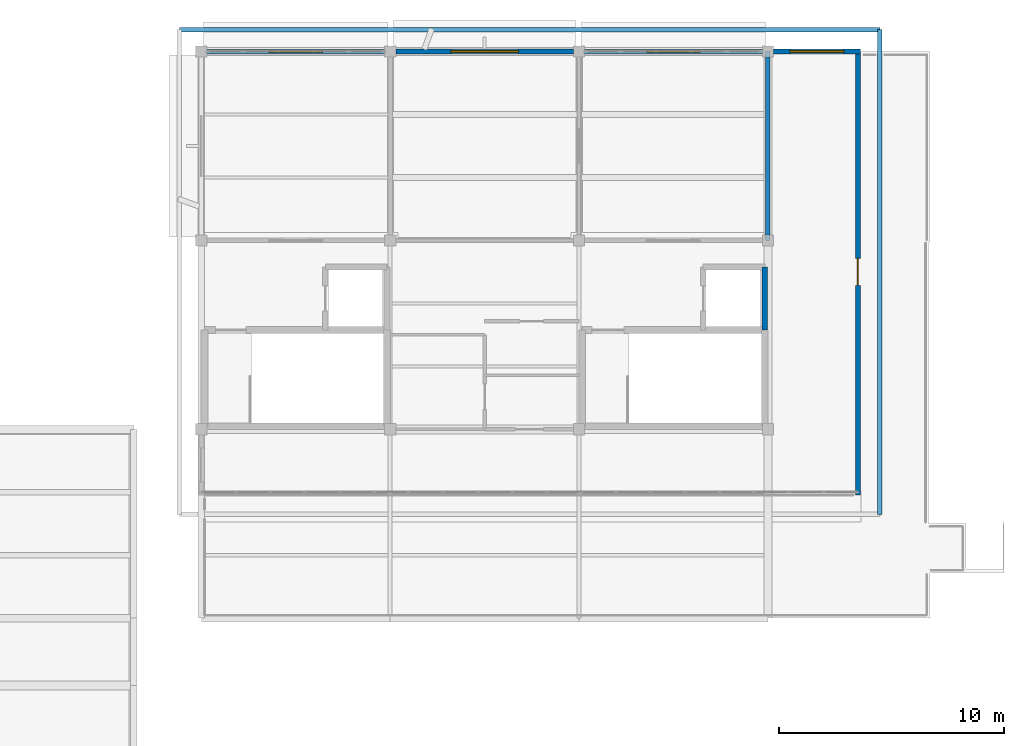
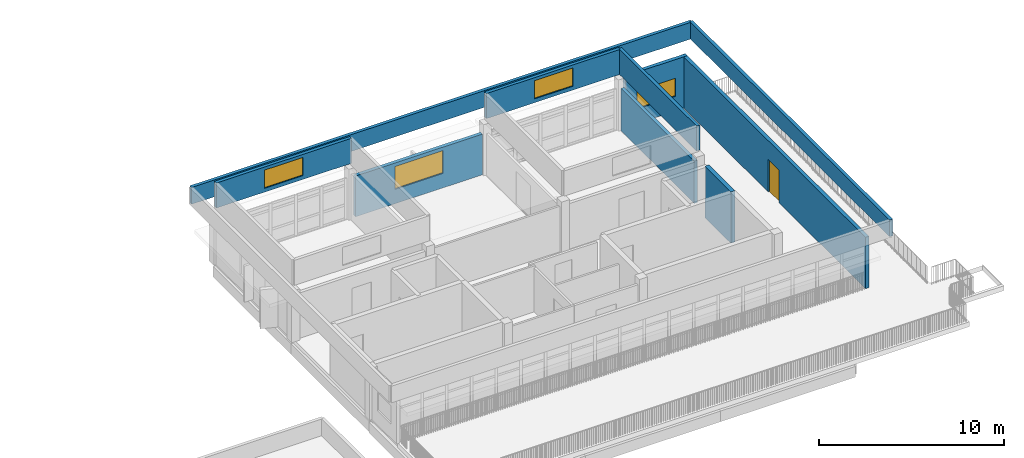
# One storey, part 9 of 14: 10 walls, 4 windows, 1 door, 5 openings.
"""IFC4 building model written with IfcOpenShell, lengths in metres."""

import ifcopenshell
import ifcopenshell.guid

model = None  # the IFC model being written
_history = None  # IfcOwnerHistory: only IFC2X3 demands one
_inside = {}  # id of a spatial element -> (the spatial element, [elements in it])
_under = {}  # id of a project, library or spatial element -> (it, [spatial elements below it])
_declared = {}  # id of a project -> (the project, [libraries it declares])
_typed = {}  # id of a type object -> (the type object, [elements of that type])
_made_of = {}  # id of a material, layer set ... -> (it, [elements and type objects made of it])


def new_model(schema):
    """Start an empty IFC model of exactly this schema.

    Asked for "IFC4X3", IfcOpenShell would pick the latest addendum, in which some entities
    have other attributes; the version numbers below select the first issue.
    IFC2X3 requires an IfcOwnerHistory on every rooted entity: one is made here for all.
    """
    global model, _history
    if schema == "IFC4X3":
        model = ifcopenshell.file(schema_version=(4, 3, 0, 0))
    else:
        model = ifcopenshell.file(schema=schema)
    _inside.clear()
    _under.clear()
    _declared.clear()
    _typed.clear()
    _made_of.clear()
    _history = None
    if model.schema == "IFC2X3":
        org = make("IfcOrganization", Name="unknown")
        user = make(
            "IfcPersonAndOrganization",
            ThePerson=make("IfcPerson", FamilyName="unknown"),
            TheOrganization=org,
        )
        app = make(
            "IfcApplication",
            ApplicationDeveloper=org,
            Version="unknown",
            ApplicationFullName="unknown",
            ApplicationIdentifier="unknown",
        )
        _history = make(
            "IfcOwnerHistory",
            OwningUser=user,
            OwningApplication=app,
            ChangeAction="ADDED",
            CreationDate=0,
        )
    return model


def make(cls, **values):
    """One entity of the class cls with the attributes given. An attribute that is None is left unset."""
    return model.create_entity(
        cls, **{name: value for name, value in values.items() if value is not None}
    )


def rooted(cls, **values):
    """An entity with a GlobalId (a new one), such as an element, a storey or a relation."""
    return make(cls, GlobalId=ifcopenshell.guid.new(), OwnerHistory=_history, **values)


def si_unit(unit_type, name, prefix=None):
    """IfcSIUnit, for example si_unit("LENGTHUNIT", "METRE", prefix="MILLI")."""
    return make("IfcSIUnit", UnitType=unit_type, Prefix=prefix, Name=name)


def assignment(units):
    """IfcUnitAssignment: the units of a project."""
    return None if units is None else make("IfcUnitAssignment", Units=units)


def point(xyz):
    """IfcCartesianPoint."""
    return None if xyz is None else make("IfcCartesianPoint", Coordinates=xyz)


def direction(xyz):
    """IfcDirection."""
    return None if xyz is None else make("IfcDirection", DirectionRatios=xyz)


def frame(location, z_axis=None, x_axis=None):
    """IfcAxis2Placement3D, a coordinate frame: its origin and axes. An axis left out is left unset."""
    return make(
        "IfcAxis2Placement3D",
        Location=point(location),
        Axis=direction(z_axis),
        RefDirection=direction(x_axis),
    )


def frame_2d(location, x_axis=None):
    """IfcAxis2Placement2D, a coordinate frame in the plane: its origin and x axis."""
    return make(
        "IfcAxis2Placement2D", Location=point(location), RefDirection=direction(x_axis)
    )


def origin():
    """The frame at (0, 0, 0) with its axes left unset."""
    return frame((0.0, 0.0, 0.0))


def place(relative_to, where):
    """IfcLocalPlacement: puts the frame where relative to a parent placement (None: the world)."""
    return make(
        "IfcLocalPlacement", PlacementRelTo=relative_to, RelativePlacement=where
    )


def context(
    kind, dimensions, precision=None, world=None, true_north=None, identifier=None
):
    """IfcGeometricRepresentationContext, for example the 3D "Model" context."""
    return make(
        "IfcGeometricRepresentationContext",
        ContextIdentifier=identifier,
        ContextType=kind,
        CoordinateSpaceDimension=dimensions,
        Precision=precision,
        WorldCoordinateSystem=world,
        TrueNorth=true_north,
    )


def subcontext(parent, identifier, kind, view, scale=None):
    """IfcGeometricRepresentationSubContext, for example "Body" below "Model"."""
    return make(
        "IfcGeometricRepresentationSubContext",
        ContextIdentifier=identifier,
        ContextType=kind,
        ParentContext=parent,
        TargetScale=scale,
        TargetView=view,
    )


def project(units=None, contexts=None):
    """IfcProject with its units and contexts."""
    return rooted(
        "IfcProject",
        Name="project",
        RepresentationContexts=contexts,
        UnitsInContext=assignment(units),
    )


def spatial(cls, under=None, at=None, **own):
    """A site, building, storey or space (cls), placed at a placement, below another one or the project."""
    s = rooted(cls, ObjectPlacement=at, **own)
    if under is not None:
        _under.setdefault(under.id(), (under, []))[1].append(s)
    return s


def profile(cls, at=None, kind="AREA", **sizes):
    """A parametric profile (cls). Its sizes go by their IFC names, for example OverallWidth=200.0."""
    return make(cls, ProfileType=kind, Position=at, **sizes)


def rectangle(**sizes):
    """IfcRectangleProfileDef."""
    return profile("IfcRectangleProfileDef", **sizes)


def extrude(swept, where, along, depth):
    """IfcExtrudedAreaSolid: the profile swept, set in the frame where, extruded along a direction by depth."""
    return make(
        "IfcExtrudedAreaSolid",
        SweptArea=swept,
        Position=where,
        ExtrudedDirection=direction(along),
        Depth=depth,
    )


def shape(context_of_items, identifier, shape_type, items):
    """IfcShapeRepresentation: the items that make up one representation, for example the "Body"."""
    return make(
        "IfcShapeRepresentation",
        ContextOfItems=context_of_items,
        RepresentationIdentifier=identifier,
        RepresentationType=shape_type,
        Items=items,
    )


def material(Name=None, Category=None):
    """IfcMaterial."""
    return make("IfcMaterial", Name=Name, Category=Category)


def layer(
    of_material, thickness, ventilated=None, Name=None, Category=None, Priority=None
):
    """IfcMaterialLayer: one layer of a wall or slab, of a material (None: an air gap)."""
    return make(
        "IfcMaterialLayer",
        Material=of_material,
        LayerThickness=thickness,
        IsVentilated=ventilated,
        Name=Name,
        Category=Category,
        Priority=Priority,
    )


def layer_set(layers, Name=None):
    """IfcMaterialLayerSet."""
    return make("IfcMaterialLayerSet", MaterialLayers=layers, LayerSetName=Name)


def made_of(thing, what):
    """Note that an element or type object is made of a material, layer set ...; save() writes the relation."""
    if what is not None:
        _made_of.setdefault(what.id(), (what, []))[1].append(thing)
    return thing


def type_object(cls, material=None, **own):
    """A type object (cls), such as IfcWallType, which elements share."""
    return made_of(rooted(cls, **own), material)


def element(
    cls,
    number,
    at=None,
    inside=None,
    cuts=None,
    type_object=None,
    material=None,
    context=None,
    identifier="Body",
    shape_type=None,
    held_by="IfcProductDefinitionShape",
    body=None,
    shapes=None,
    **own,
):
    """One element of the class cls, such as IfcWall. Its Tag is "e" and its number.

    at: its placement. inside: the storey or other place that contains it. cuts: it is an
    opening in that element (IfcRelVoidsElement). A single representation is given by context,
    identifier, shape_type and body (its items); several are given by shapes. held_by: the class
    of the entity that holds the representations. save() writes the other relations.
    """
    e = rooted(cls, Tag="e%d" % number, ObjectPlacement=at, **own)
    if body is not None:
        shapes = [shape(context, identifier, shape_type, body)]
    if shapes is not None:
        e.Representation = make(held_by, Representations=shapes)
    if inside is not None:
        _inside.setdefault(inside.id(), (inside, []))[1].append(e)
    if cuts is not None:
        rooted(
            "IfcRelVoidsElement", RelatingBuildingElement=cuts, RelatedOpeningElement=e
        )
    if type_object is not None:
        _typed.setdefault(type_object.id(), (type_object, []))[1].append(e)
    return made_of(e, material)


def fill(opening, filler):
    """IfcRelFillsElement: the door or window that sits in an opening."""
    return rooted(
        "IfcRelFillsElement",
        RelatingOpeningElement=opening,
        RelatedBuildingElement=filler,
    )


def aggregate(whole, parts):
    """IfcRelAggregates: a whole, such as a stair, and the parts it consists of."""
    return rooted("IfcRelAggregates", RelatingObject=whole, RelatedObjects=parts)


def save(model, path):
    """Write the relations noted so far, then the file.

    IfcRelAggregates (storeys below a building ...), IfcRelContainedInSpatialStructure (elements
    in a storey), IfcRelDefinesByType, IfcRelAssociatesMaterial and IfcRelDeclares: one each for
    every whole, place, type object, material and project.
    """
    for whole, parts in _under.values():
        aggregate(whole, parts)
    for where, things in _inside.values():
        rooted(
            "IfcRelContainedInSpatialStructure",
            RelatedElements=things,
            RelatingStructure=where,
        )
    for kind, things in _typed.values():
        rooted("IfcRelDefinesByType", RelatedObjects=things, RelatingType=kind)
    for what, things in _made_of.values():
        rooted("IfcRelAssociatesMaterial", RelatedObjects=things, RelatingMaterial=what)
    for by, libraries in _declared.values():
        rooted("IfcRelDeclares", RelatingContext=by, RelatedDefinitions=libraries)
    model.write(path)


model = new_model("IFC4")

# Units and contexts
model_context = context("Model", 3, precision=1e-05, world=origin(), true_north=direction((0.0, 1.0)))
body_context = subcontext(model_context, "Body", "Model", "MODEL_VIEW")
ifc_project = project(units=[si_unit("LENGTHUNIT", "METRE"), si_unit("AREAUNIT", "SQUARE_METRE"), si_unit("VOLUMEUNIT", "CUBIC_METRE"), si_unit("PLANEANGLEUNIT", "RADIAN"), si_unit("MASSUNIT", "GRAM", prefix="KILO")], contexts=[model_context])

# Site, building, storey
site_placement = place(None, origin())
site = spatial("IfcSite", under=ifc_project, at=site_placement, CompositionType="ELEMENT")
building_placement = place(site_placement, origin())
building = spatial("IfcBuilding", under=site, at=building_placement, Name="Vanh Quang Courtyard School", CompositionType="ELEMENT")
storey_placement = place(building_placement, frame((0.0, 0.0, 22.199951171875)))
storey = spatial("IfcBuildingStorey", under=building, at=storey_placement, Name="L06", CompositionType="ELEMENT", Elevation=22.199951171875)

# Wall
ifc_material_1 = material(Name="Concrete C30/37", Category="concrete")
ifc_layer_1 = layer(ifc_material_1, 0.199951171875)
ifc_layer_set_1 = layer_set([ifc_layer_1], Name="Concrete C30/37")
wall_type_1 = type_object("IfcWallType", Name="W-COMP-200", PredefinedType="PARTITIONING", material=ifc_layer_set_1)
wall_1_placement = place(storey_placement, frame((102.60009765625, 96.35205078125, 0.0), z_axis=(0.0, 0.0, 1.0), x_axis=(0.0, -1.0, 0.0)))
element("IfcWall", 1, at=wall_1_placement, inside=storey, type_object=wall_type_1, Name="Wall W-COMP1 (L06)", PredefinedType="PARTITIONING", context=body_context, shape_type="SweptSolid", body=[
    extrude(rectangle(XDim=7.904052734375, YDim=0.199951171875, at=frame_2d((3.9521484375, 0.0))), origin(), (0.0, 0.0, 1.0), 2.780029296875),
])

# Wall, opening, door
ifc_layer_2 = layer(ifc_material_1, 0.219970703125)
ifc_layer_set_2 = layer_set([ifc_layer_2], Name="Concrete C30/37")
wall_type_2 = type_object("IfcWallType", Name="W-EXT-220", PredefinedType="SOLIDWALL", material=ifc_layer_set_2)
wall_2_placement = place(storey_placement, frame((106.60009765625, 96.719970703125, 0.0), z_axis=(0.0, 0.0, 1.0), x_axis=(0.0, -1.0, 0.0)))
wall_2 = element("IfcWall", 2, at=wall_2_placement, inside=storey, type_object=wall_type_2, Name="Wall WE-04 (L06)", PredefinedType="SOLIDWALL", context=body_context, shape_type="SweptSolid", body=[
    extrude(rectangle(XDim=19.840087890625, YDim=0.219970703125, at=frame_2d((9.919921875, 0.0))), origin(), (0.0, 0.0, 1.0), 3.380126953125),
])
opening_1_placement = place(wall_2_placement, frame((9.320068359375, 0.0, 0.0)))
opening_1 = element("IfcOpeningElement", 3, at=opening_1_placement, cuts=wall_2, Name="Opening L06-PD062", PredefinedType="OPENING", context=body_context, shape_type="SweptSolid", body=[
    extrude(rectangle(XDim=1.199951171875, YDim=2.14990234375, at=frame_2d((0.60009765625, 1.074951171875))), frame((0.0, 0.1201171875, 0.0), z_axis=(0.0, -1.0, 0.0), x_axis=(1.0, 0.0, 0.0)), (0.0, 0.0, 1.0), 0.239990234375),
])
ifc_material_2 = material(Name="Thermally broken aluminium and laminated safety glass", Category="aluminium")
door_type = type_object("IfcDoorType", Name="EDR-TYP-03", OperationType="NOTDEFINED", PredefinedType="DOOR", material=ifc_material_2)
door_placement = place(opening_1_placement, origin())
door = element("IfcDoor", 4, at=door_placement, inside=storey, type_object=door_type, Name="Door L06-PD062 (L06)", OperationType="SINGLE_SWING_LEFT", OverallHeight=2.14990234375, OverallWidth=1.199951171875, PredefinedType="DOOR", context=body_context, shape_type="SweptSolid", body=[
    extrude(rectangle(XDim=1.199951171875, YDim=2.14990234375, at=frame_2d((0.60009765625, 1.074951171875))), frame((0.0, 0.02490234375, 0.0), z_axis=(0.0, -1.0, 0.0), x_axis=(1.0, 0.0, 0.0)), (0.0, 0.0, 1.0), 0.050048828125),
])
fill(opening_1, door)

# Wall, opening, window
wall_3_placement = place(storey_placement, frame((86.048095703125, 96.60009765625, 0.0), z_axis=(0.0, 0.0, 1.0), x_axis=(1.0, 0.0, 0.0)))
wall_3 = element("IfcWall", 5, at=wall_3_placement, inside=storey, type_object=wall_type_2, Name="Wall WE-04 (L06)", PredefinedType="SOLIDWALL", context=body_context, shape_type="SweptSolid", body=[
    extrude(rectangle(XDim=7.90380859375, YDim=0.219970703125, at=frame_2d((3.951904296875, 0.0))), origin(), (0.0, 0.0, 1.0), 2.679931640625),
])
opening_2_placement = place(wall_3_placement, frame((2.451904296875, 0.0, 0.949951171875)))
opening_2 = element("IfcOpeningElement", 6, at=opening_2_placement, cuts=wall_3, Name="Opening WN-16", PredefinedType="OPENING", context=body_context, shape_type="SweptSolid", body=[
    extrude(rectangle(XDim=3.0, YDim=1.5, at=frame_2d((1.5, 0.75))), frame((0.0, 0.1201171875, 0.0), z_axis=(0.0, -1.0, 0.0), x_axis=(1.0, 0.0, 0.0)), (0.0, 0.0, 1.0), 0.239990234375),
])
ifc_material_3 = material(Name="Anodised aluminium and low-E double glazing", Category="aluminium")
window_type_1 = type_object("IfcWindowType", Name="WIN-TYP-16", PartitioningType="SINGLE_PANEL", PredefinedType="WINDOW", material=ifc_material_3)
window_1_placement = place(opening_2_placement, origin())
window_1 = element("IfcWindow", 7, at=window_1_placement, inside=storey, type_object=window_type_1, Name="Window WN-16 (L06)", OverallHeight=1.5, OverallWidth=3.0, PartitioningType="SINGLE_PANEL", PredefinedType="WINDOW", context=body_context, shape_type="SweptSolid", body=[
    extrude(rectangle(XDim=3.0, YDim=1.5, at=frame_2d((1.5, 0.75))), frame((0.0, 0.030029296875, 0.0), z_axis=(0.0, -1.0, 0.0), x_axis=(1.0, 0.0, 0.0)), (0.0, 0.0, 1.0), 0.06005859375),
])
fill(opening_2, window_1)

wall_4_placement = place(storey_placement, frame((102.847900390625, 96.60009765625, 0.0), z_axis=(0.0, 0.0, 1.0), x_axis=(1.0, 0.0, 0.0)))
wall_4 = element("IfcWall", 8, at=wall_4_placement, inside=storey, type_object=wall_type_2, Name="Wall WE-04 (L06)", PredefinedType="SOLIDWALL", context=body_context, shape_type="SweptSolid", body=[
    extrude(rectangle(XDim=3.8720703125, YDim=0.219970703125, at=frame_2d((1.93603515625, 0.0))), origin(), (0.0, 0.0, 1.0), 3.380126953125),
])
opening_3_placement = place(wall_4_placement, frame((0.736083984375, 0.0, 0.949951171875)))
opening_3 = element("IfcOpeningElement", 9, at=opening_3_placement, cuts=wall_4, Name="Opening WN-05", PredefinedType="OPENING", context=body_context, shape_type="SweptSolid", body=[
    extrude(rectangle(XDim=2.39990234375, YDim=1.199951171875, at=frame_2d((1.199951171875, 0.60009765625))), frame((0.0, 0.1201171875, 0.0), z_axis=(0.0, -1.0, 0.0), x_axis=(1.0, 0.0, 0.0)), (0.0, 0.0, 1.0), 0.239990234375),
])
window_type_2 = type_object("IfcWindowType", Name="WIN-TYP-05", PartitioningType="SINGLE_PANEL", PredefinedType="WINDOW", material=ifc_material_3)
window_2_placement = place(opening_3_placement, origin())
window_2 = element("IfcWindow", 10, at=window_2_placement, inside=storey, type_object=window_type_2, Name="Window WN-05 (L06)", OverallHeight=1.199951171875, OverallWidth=2.39990234375, PartitioningType="SINGLE_PANEL", PredefinedType="WINDOW", context=body_context, shape_type="SweptSolid", body=[
    extrude(rectangle(XDim=2.39990234375, YDim=1.199951171875, at=frame_2d((1.199951171875, 0.60009765625))), frame((0.0, 0.030029296875, 0.0), z_axis=(0.0, -1.0, 0.0), x_axis=(1.0, 0.0, 0.0)), (0.0, 0.0, 1.0), 0.06005859375),
])
fill(opening_3, window_2)

ifc_material_4 = material(Name="Concrete C35/45", Category="concrete")
ifc_layer_3 = layer(ifc_material_4, 0.199951171875)
ifc_layer_set_3 = layer_set([ifc_layer_3], Name="Concrete C35/45")
wall_type_3 = type_object("IfcWallType", Name="W-MON-200", PredefinedType="SHEAR", material=ifc_layer_set_3)
wall_5_placement = place(storey_placement, frame((85.800048828125, 96.60009765625, 3.60009765625), z_axis=(0.0, 0.0, 1.0), x_axis=(-1.0, 0.0, 0.0)))
wall_5 = element("IfcWall", 11, at=wall_5_placement, inside=storey, type_object=wall_type_3, Name="Wall WM-01 (L06)", PredefinedType="SHEAR", context=body_context, shape_type="SweptSolid", body=[
    extrude(rectangle(XDim=8.400146484375, YDim=0.199951171875, at=frame_2d((4.2001953125, 0.0))), origin(), (0.0, 0.0, 1.0), 1.64990234375),
])
opening_4_placement = place(wall_5_placement, frame((3.0, 0.0, 0.25)))
opening_4 = element("IfcOpeningElement", 12, at=opening_4_placement, cuts=wall_5, Name="Opening WN-05", PredefinedType="OPENING", context=body_context, shape_type="SweptSolid", body=[
    extrude(rectangle(XDim=2.39990234375, YDim=1.199951171875, at=frame_2d((1.199951171875, 0.60009765625))), frame((0.0, 0.10986328125, 0.0), z_axis=(0.0, -1.0, 0.0), x_axis=(1.0, 0.0, 0.0)), (0.0, 0.0, 1.0), 0.219970703125),
])
window_3_placement = place(opening_4_placement, origin())
window_3 = element("IfcWindow", 13, at=window_3_placement, inside=storey, type_object=window_type_2, Name="Window WN-05 (L06)", OverallHeight=1.199951171875, OverallWidth=2.39990234375, PartitioningType="SINGLE_PANEL", PredefinedType="WINDOW", context=body_context, shape_type="SweptSolid", body=[
    extrude(rectangle(XDim=2.39990234375, YDim=1.199951171875, at=frame_2d((1.199951171875, 0.60009765625))), frame((0.0, 0.030029296875, 0.0), z_axis=(0.0, -1.0, 0.0), x_axis=(1.0, 0.0, 0.0)), (0.0, 0.0, 1.0), 0.06005859375),
])
fill(opening_4, window_3)

# Wall
wall_6_placement = place(storey_placement, frame((102.60009765625, 88.199951171875, 3.60009765625), z_axis=(0.0, 0.0, 1.0), x_axis=(0.0, 1.0, 0.0)))
element("IfcWall", 14, at=wall_6_placement, inside=storey, type_object=wall_type_3, Name="Wall WM-01 (L06)", PredefinedType="SHEAR", context=body_context, shape_type="SweptSolid", body=[
    extrude(rectangle(XDim=8.400146484375, YDim=0.199951171875, at=frame_2d((4.2001953125, 0.0))), origin(), (0.0, 0.0, 1.0), 1.64990234375),
])

# Wall, opening, window
wall_7_placement = place(storey_placement, frame((102.60009765625, 96.60009765625, 3.60009765625), z_axis=(0.0, 0.0, 1.0), x_axis=(-1.0, 0.0, 0.0)))
wall_7 = element("IfcWall", 15, at=wall_7_placement, inside=storey, type_object=wall_type_3, Name="Wall WM-01 (L06)", PredefinedType="SHEAR", context=body_context, shape_type="SweptSolid", body=[
    extrude(rectangle(XDim=8.400146484375, YDim=0.199951171875, at=frame_2d((4.2001953125, 0.0))), origin(), (0.0, 0.0, 1.0), 1.64990234375),
])
opening_5_placement = place(wall_7_placement, frame((3.0, 0.0, 0.25)))
opening_5 = element("IfcOpeningElement", 16, at=opening_5_placement, cuts=wall_7, Name="Opening WN-05", PredefinedType="OPENING", context=body_context, shape_type="SweptSolid", body=[
    extrude(rectangle(XDim=2.39990234375, YDim=1.199951171875, at=frame_2d((1.199951171875, 0.60009765625))), frame((0.0, 0.10986328125, 0.0), z_axis=(0.0, -1.0, 0.0), x_axis=(1.0, 0.0, 0.0)), (0.0, 0.0, 1.0), 0.219970703125),
])
window_4_placement = place(opening_5_placement, origin())
window_4 = element("IfcWindow", 17, at=window_4_placement, inside=storey, type_object=window_type_2, Name="Window WN-05 (L06)", OverallHeight=1.199951171875, OverallWidth=2.39990234375, PartitioningType="SINGLE_PANEL", PredefinedType="WINDOW", context=body_context, shape_type="SweptSolid", body=[
    extrude(rectangle(XDim=2.39990234375, YDim=1.199951171875, at=frame_2d((1.199951171875, 0.60009765625))), frame((0.0, 0.030029296875, 0.0), z_axis=(0.0, -1.0, 0.0), x_axis=(1.0, 0.0, 0.0)), (0.0, 0.0, 1.0), 0.06005859375),
])
fill(opening_5, window_4)

# Walls
ifc_layer_4 = layer(ifc_material_4, 0.199951171875)
ifc_layer_set_4 = layer_set([ifc_layer_4], Name="Concrete C35/45")
wall_type_4 = type_object("IfcWallType", Name="W-PAR-200", PredefinedType="PARAPET", material=ifc_layer_set_4)
wall_8_placement = place(storey_placement, frame((76.419921875, 97.580078125, 3.60009765625), z_axis=(0.0, 0.0, 1.0), x_axis=(1.0, 0.0, 0.0)))
element("IfcWall", 18, at=wall_8_placement, inside=storey, type_object=wall_type_4, Name="Wall WP-01 (L06)", PredefinedType="PARAPET", context=body_context, shape_type="SweptSolid", body=[
    extrude(rectangle(XDim=31.16015625, YDim=0.199951171875, at=frame_2d((15.580078125, 0.0))), origin(), (0.0, 0.0, 1.0), 1.099853515625),
])
wall_9_placement = place(storey_placement, frame((107.580078125, 97.580078125, 3.60009765625), z_axis=(0.0, 0.0, 1.0), x_axis=(0.0, -1.0, 0.0)))
element("IfcWall", 19, at=wall_9_placement, inside=storey, type_object=wall_type_4, Name="Wall WP-01 (L06)", PredefinedType="PARAPET", context=body_context, shape_type="SweptSolid", body=[
    extrude(rectangle(XDim=21.56005859375, YDim=0.199951171875, at=frame_2d((10.780029296875, 0.0))), origin(), (0.0, 0.0, 1.0), 1.099853515625),
])
ifc_layer_5 = layer(ifc_material_4, 0.25)
ifc_layer_set_5 = layer_set([ifc_layer_5], Name="Concrete C35/45")
wall_type_5 = type_object("IfcWallType", Name="W-SHFT-250", PredefinedType="SHEAR", material=ifc_layer_set_5)
wall_10_placement = place(storey_placement, frame((102.4599609375, 84.219970703125, 0.0), z_axis=(0.0, 0.0, 1.0), x_axis=(0.0, 1.0, 0.0)))
element("IfcWall", 20, at=wall_10_placement, inside=storey, type_object=wall_type_5, Name="Wall W-SHFT1 (L06)", PredefinedType="SHEAR", context=body_context, shape_type="SweptSolid", body=[
    extrude(rectangle(XDim=2.800048828125, YDim=0.25, at=frame_2d((1.39990234375, 0.0))), origin(), (0.0, 0.0, 1.0), 3.380126953125),
])

save(model, "model.ifc")
